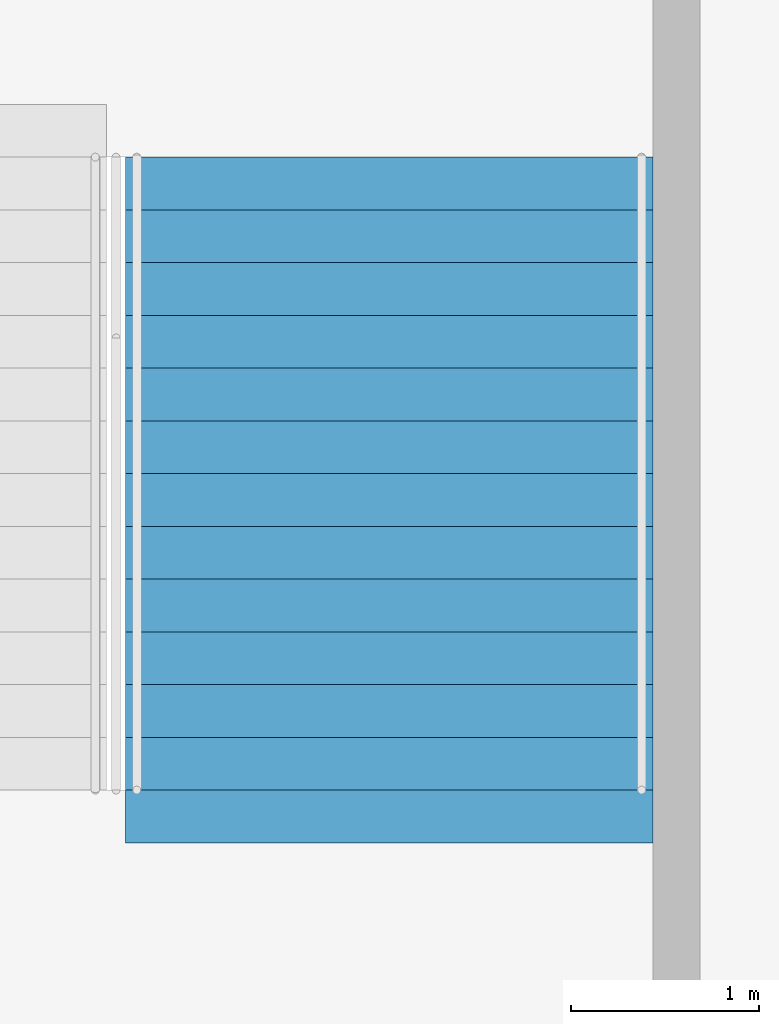
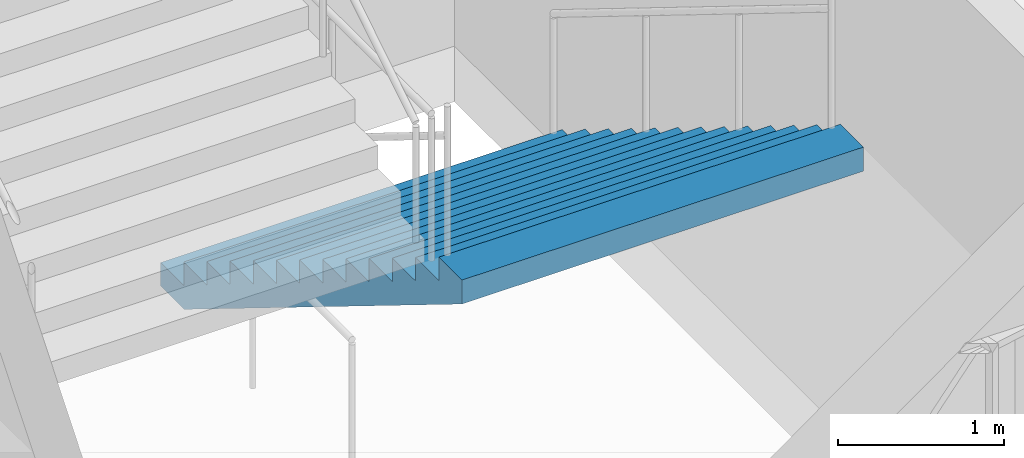
# One storey, part 154 of 249: 1 stair flight, 1 element without a shape of its own.
"""IFC4 building model written with IfcOpenShell, lengths in metres."""

from ifc_helpers import new_model, si_unit, direction, frame, origin, place, context, subcontext, project, spatial, faceted_brep, material, type_object, element, aggregate, save


model = new_model("IFC4")

# Units and contexts
model_context = context("Model", 3, precision=1e-05, world=origin(), true_north=direction((0.0, 1.0)))
body_context = subcontext(model_context, "Body", "Model", "MODEL_VIEW")
ifc_project = project(units=[si_unit("LENGTHUNIT", "METRE"), si_unit("AREAUNIT", "SQUARE_METRE"), si_unit("VOLUMEUNIT", "CUBIC_METRE"), si_unit("PLANEANGLEUNIT", "RADIAN"), si_unit("MASSUNIT", "GRAM", prefix="KILO")], contexts=[model_context])

# Site, building, storey
site_placement = place(None, origin())
site = spatial("IfcSite", under=ifc_project, at=site_placement, CompositionType="ELEMENT")
building_placement = place(site_placement, origin())
building = spatial("IfcBuilding", under=site, at=building_placement, Name="Ogive Plaza Stadium", CompositionType="ELEMENT")
storey_placement = place(building_placement, frame((0.0, 0.0, 13.5)))
storey = spatial("IfcBuildingStorey", under=building, at=storey_placement, Name="L03", CompositionType="ELEMENT", Elevation=13.5)

# Stair, stair flight
ifc_material_1 = material(Name="Concrete C40/50", Category="concrete")
stair_type = type_object("IfcStairType", Name="Exit stair", PredefinedType="STRAIGHT_RUN_STAIR", material=ifc_material_1)
stair_placement = place(storey_placement, origin())
stair = element("IfcStair", 1, at=stair_placement, inside=storey, type_object=stair_type, Name="Exit stair ST12B L03 to L04", PredefinedType="STRAIGHT_RUN_STAIR")
ifc_material_2 = material(Name="Concrete C40/50", Category="concrete")
stair_flight_type = type_object("IfcStairFlightType", Name="Exit stair flight", PredefinedType="STRAIGHT", material=ifc_material_2)
stair_flight_placement = place(storey_placement, frame((38.425048828125, -94.85009765625, 0.0), z_axis=(0.0, 0.0, 1.0), x_axis=(0.0, -1.0, 0.0)))
stair_flight = element("IfcStairFlight", 2, at=stair_flight_placement, type_object=stair_flight_type, Name="ST12B flight 1", NumberOfRisers=13, NumberOfTreads=12, PredefinedType="STRAIGHT", RiserHeight=0.173076923, TreadLength=0.28, context=body_context, shape_type="Brep", body=[
    faceted_brep([(0.28515625, -1.39990234375, 0.0), (3.639892578125, -1.39990234375, 2.07373046875), (3.639892578125, -1.39990234375, 2.25), (3.360107421875, -1.39990234375, 2.25), (3.360107421875, -1.39990234375, 2.076904296875), (3.080078125, -1.39990234375, 2.076904296875), (3.080078125, -1.39990234375, 1.90380859375), (2.800048828125, -1.39990234375, 1.90380859375), (2.800048828125, -1.39990234375, 1.730712890625), (2.52001953125, -1.39990234375, 1.730712890625), (2.52001953125, -1.39990234375, 1.5576171875), (2.239990234375, -1.39990234375, 1.5576171875), (2.239990234375, -1.39990234375, 1.384521484375), (1.9599609375, -1.39990234375, 1.384521484375), (1.9599609375, -1.39990234375, 1.21142578125), (1.679931640625, -1.39990234375, 1.21142578125), (1.679931640625, -1.39990234375, 1.03857421875), (1.39990234375, -1.39990234375, 1.03857421875), (1.39990234375, -1.39990234375, 0.865478515625), (1.1201171875, -1.39990234375, 0.865478515625), (1.1201171875, -1.39990234375, 0.6923828125), (0.840087890625, -1.39990234375, 0.6923828125), (0.840087890625, -1.39990234375, 0.519287109375), (0.56005859375, -1.39990234375, 0.519287109375), (0.56005859375, -1.39990234375, 0.34619140625), (0.280029296875, -1.39990234375, 0.34619140625), (0.280029296875, -1.39990234375, 0.173095703125), (0.0, -1.39990234375, 0.173095703125), (0.0, -1.39990234375, 0.0), (0.0, 1.39990234375, 0.0), (0.0, 1.39990234375, 0.173095703125), (0.280029296875, 1.39990234375, 0.173095703125), (0.280029296875, 1.39990234375, 0.34619140625), (0.56005859375, 1.39990234375, 0.34619140625), (0.56005859375, 1.39990234375, 0.519287109375), (0.840087890625, 1.39990234375, 0.519287109375), (0.840087890625, 1.39990234375, 0.6923828125), (1.1201171875, 1.39990234375, 0.6923828125), (1.1201171875, 1.39990234375, 0.865478515625), (1.39990234375, 1.39990234375, 0.865478515625), (1.39990234375, 1.39990234375, 1.03857421875), (1.679931640625, 1.39990234375, 1.03857421875), (1.679931640625, 1.39990234375, 1.21142578125), (1.9599609375, 1.39990234375, 1.21142578125), (1.9599609375, 1.39990234375, 1.384521484375), (2.239990234375, 1.39990234375, 1.384521484375), (2.239990234375, 1.39990234375, 1.5576171875), (2.52001953125, 1.39990234375, 1.5576171875), (2.52001953125, 1.39990234375, 1.730712890625), (2.800048828125, 1.39990234375, 1.730712890625), (2.800048828125, 1.39990234375, 1.90380859375), (3.080078125, 1.39990234375, 1.90380859375), (3.080078125, 1.39990234375, 2.076904296875), (3.360107421875, 1.39990234375, 2.076904296875), (3.360107421875, 1.39990234375, 2.25), (3.639892578125, 1.39990234375, 2.25), (3.639892578125, 1.39990234375, 2.07373046875), (0.28515625, 1.39990234375, 0.0), (0.28515625, -1.0888671875, 0.0), (3.639892578125, -1.0888671875, 2.07373046875), (0.28515625, -0.77783203125, 0.0), (3.639892578125, -0.77783203125, 2.07373046875), (0.28515625, -0.466796875, 0.0), (3.639892578125, -0.466796875, 2.07373046875), (0.28515625, -0.155517578125, 0.0), (3.639892578125, -0.155517578125, 2.07373046875), (0.28515625, 0.155517578125, 0.0), (3.639892578125, 0.155517578125, 2.07373046875), (0.28515625, 0.466796875, 0.0), (3.639892578125, 0.466796875, 2.07373046875), (0.28515625, 0.77783203125, 0.0), (3.639892578125, 0.77783203125, 2.07373046875), (0.28515625, 1.0888671875, 0.0), (3.639892578125, 1.0888671875, 2.07373046875), (3.639892578125, -1.0888671875, 2.25), (3.639892578125, -0.77783203125, 2.25), (3.639892578125, -0.466796875, 2.25), (3.639892578125, -0.155517578125, 2.25), (3.639892578125, 0.155517578125, 2.25), (3.639892578125, 0.466796875, 2.25), (3.639892578125, 0.77783203125, 2.25), (3.639892578125, 1.0888671875, 2.25), (3.360107421875, -1.0888671875, 2.25), (3.360107421875, -0.77783203125, 2.25), (3.360107421875, -0.466796875, 2.25), (3.360107421875, -0.155517578125, 2.25), (3.360107421875, 0.155517578125, 2.25), (3.360107421875, 0.466796875, 2.25), (3.360107421875, 0.77783203125, 2.25), (3.360107421875, 1.0888671875, 2.25), (3.360107421875, -1.0888671875, 2.076904296875), (3.360107421875, -0.77783203125, 2.076904296875), (3.360107421875, -0.466796875, 2.076904296875), (3.360107421875, -0.155517578125, 2.076904296875), (3.360107421875, 0.155517578125, 2.076904296875), (3.360107421875, 0.466796875, 2.076904296875), (3.360107421875, 0.77783203125, 2.076904296875), (3.360107421875, 1.0888671875, 2.076904296875), (3.080078125, -1.0888671875, 2.076904296875), (3.080078125, -0.77783203125, 2.076904296875), (3.080078125, -0.466796875, 2.076904296875), (3.080078125, -0.155517578125, 2.076904296875), (3.080078125, 0.155517578125, 2.076904296875), (3.080078125, 0.466796875, 2.076904296875), (3.080078125, 0.77783203125, 2.076904296875), (3.080078125, 1.0888671875, 2.076904296875), (3.080078125, -1.0888671875, 1.90380859375), (3.080078125, -0.77783203125, 1.90380859375), (3.080078125, -0.466796875, 1.90380859375), (3.080078125, -0.155517578125, 1.90380859375), (3.080078125, 0.155517578125, 1.90380859375), (3.080078125, 0.466796875, 1.90380859375), (3.080078125, 0.77783203125, 1.90380859375), (3.080078125, 1.0888671875, 1.90380859375), (2.800048828125, -1.0888671875, 1.90380859375), (2.800048828125, -0.77783203125, 1.90380859375), (2.800048828125, -0.466796875, 1.90380859375), (2.800048828125, -0.155517578125, 1.90380859375), (2.800048828125, 0.155517578125, 1.90380859375), (2.800048828125, 0.466796875, 1.90380859375), (2.800048828125, 0.77783203125, 1.90380859375), (2.800048828125, 1.0888671875, 1.90380859375), (2.800048828125, -1.0888671875, 1.730712890625), (2.800048828125, -0.77783203125, 1.730712890625), (2.800048828125, -0.466796875, 1.730712890625), (2.800048828125, -0.155517578125, 1.730712890625), (2.800048828125, 0.155517578125, 1.730712890625), (2.800048828125, 0.466796875, 1.730712890625), (2.800048828125, 0.77783203125, 1.730712890625), (2.800048828125, 1.0888671875, 1.730712890625), (2.52001953125, -1.0888671875, 1.730712890625), (2.52001953125, -0.77783203125, 1.730712890625), (2.52001953125, -0.466796875, 1.730712890625), (2.52001953125, -0.155517578125, 1.730712890625), (2.52001953125, 0.155517578125, 1.730712890625), (2.52001953125, 0.466796875, 1.730712890625), (2.52001953125, 0.77783203125, 1.730712890625), (2.52001953125, 1.0888671875, 1.730712890625), (2.52001953125, -1.0888671875, 1.5576171875), (2.52001953125, -0.77783203125, 1.5576171875), (2.52001953125, -0.466796875, 1.5576171875), (2.52001953125, -0.155517578125, 1.5576171875), (2.52001953125, 0.155517578125, 1.5576171875), (2.52001953125, 0.466796875, 1.5576171875), (2.52001953125, 0.77783203125, 1.5576171875), (2.52001953125, 1.0888671875, 1.5576171875), (2.239990234375, -1.0888671875, 1.5576171875), (2.239990234375, -0.77783203125, 1.5576171875), (2.239990234375, -0.466796875, 1.5576171875), (2.239990234375, -0.155517578125, 1.5576171875), (2.239990234375, 0.155517578125, 1.5576171875), (2.239990234375, 0.466796875, 1.5576171875), (2.239990234375, 0.77783203125, 1.5576171875), (2.239990234375, 1.0888671875, 1.5576171875), (2.239990234375, -1.0888671875, 1.384521484375), (2.239990234375, -0.77783203125, 1.384521484375), (2.239990234375, -0.466796875, 1.384521484375), (2.239990234375, -0.155517578125, 1.384521484375), (2.239990234375, 0.155517578125, 1.384521484375), (2.239990234375, 0.466796875, 1.384521484375), (2.239990234375, 0.77783203125, 1.384521484375), (2.239990234375, 1.0888671875, 1.384521484375), (1.9599609375, -1.0888671875, 1.384521484375), (1.9599609375, -0.77783203125, 1.384521484375), (1.9599609375, -0.466796875, 1.384521484375), (1.9599609375, -0.155517578125, 1.384521484375), (1.9599609375, 0.155517578125, 1.384521484375), (1.9599609375, 0.466796875, 1.384521484375), (1.9599609375, 0.77783203125, 1.384521484375), (1.9599609375, 1.0888671875, 1.384521484375), (1.9599609375, -1.0888671875, 1.21142578125), (1.9599609375, -0.77783203125, 1.21142578125), (1.9599609375, -0.466796875, 1.21142578125), (1.9599609375, -0.155517578125, 1.21142578125), (1.9599609375, 0.155517578125, 1.21142578125), (1.9599609375, 0.466796875, 1.21142578125), (1.9599609375, 0.77783203125, 1.21142578125), (1.9599609375, 1.0888671875, 1.21142578125), (1.679931640625, -1.0888671875, 1.21142578125), (1.679931640625, -0.77783203125, 1.21142578125), (1.679931640625, -0.466796875, 1.21142578125), (1.679931640625, -0.155517578125, 1.21142578125), (1.679931640625, 0.155517578125, 1.21142578125), (1.679931640625, 0.466796875, 1.21142578125), (1.679931640625, 0.77783203125, 1.21142578125), (1.679931640625, 1.0888671875, 1.21142578125), (1.679931640625, -1.0888671875, 1.03857421875), (1.679931640625, -0.77783203125, 1.03857421875), (1.679931640625, -0.466796875, 1.03857421875), (1.679931640625, -0.155517578125, 1.03857421875), (1.679931640625, 0.155517578125, 1.03857421875), (1.679931640625, 0.466796875, 1.03857421875), (1.679931640625, 0.77783203125, 1.03857421875), (1.679931640625, 1.0888671875, 1.03857421875), (1.39990234375, -1.0888671875, 1.03857421875), (1.39990234375, -0.77783203125, 1.03857421875), (1.39990234375, -0.466796875, 1.03857421875), (1.39990234375, -0.155517578125, 1.03857421875), (1.39990234375, 0.155517578125, 1.03857421875), (1.39990234375, 0.466796875, 1.03857421875), (1.39990234375, 0.77783203125, 1.03857421875), (1.39990234375, 1.0888671875, 1.03857421875), (1.39990234375, -1.0888671875, 0.865478515625), (1.39990234375, -0.77783203125, 0.865478515625), (1.39990234375, -0.466796875, 0.865478515625), (1.39990234375, -0.155517578125, 0.865478515625), (1.39990234375, 0.155517578125, 0.865478515625), (1.39990234375, 0.466796875, 0.865478515625), (1.39990234375, 0.77783203125, 0.865478515625), (1.39990234375, 1.0888671875, 0.865478515625), (1.1201171875, -1.0888671875, 0.865478515625), (1.1201171875, -0.77783203125, 0.865478515625), (1.1201171875, -0.466796875, 0.865478515625), (1.1201171875, -0.155517578125, 0.865478515625), (1.1201171875, 0.155517578125, 0.865478515625), (1.1201171875, 0.466796875, 0.865478515625), (1.1201171875, 0.77783203125, 0.865478515625), (1.1201171875, 1.0888671875, 0.865478515625), (1.1201171875, -1.0888671875, 0.6923828125), (1.1201171875, -0.77783203125, 0.6923828125), (1.1201171875, -0.466796875, 0.6923828125), (1.1201171875, -0.155517578125, 0.6923828125), (1.1201171875, 0.155517578125, 0.6923828125), (1.1201171875, 0.466796875, 0.6923828125), (1.1201171875, 0.77783203125, 0.6923828125), (1.1201171875, 1.0888671875, 0.6923828125), (0.840087890625, -1.0888671875, 0.6923828125), (0.840087890625, -0.77783203125, 0.6923828125), (0.840087890625, -0.466796875, 0.6923828125), (0.840087890625, -0.155517578125, 0.6923828125), (0.840087890625, 0.155517578125, 0.6923828125), (0.840087890625, 0.466796875, 0.6923828125), (0.840087890625, 0.77783203125, 0.6923828125), (0.840087890625, 1.0888671875, 0.6923828125), (0.840087890625, -1.0888671875, 0.519287109375), (0.840087890625, -0.77783203125, 0.519287109375), (0.840087890625, -0.466796875, 0.519287109375), (0.840087890625, -0.155517578125, 0.519287109375), (0.840087890625, 0.155517578125, 0.519287109375), (0.840087890625, 0.466796875, 0.519287109375), (0.840087890625, 0.77783203125, 0.519287109375), (0.840087890625, 1.0888671875, 0.519287109375), (0.56005859375, -1.0888671875, 0.519287109375), (0.56005859375, -0.77783203125, 0.519287109375), (0.56005859375, -0.466796875, 0.519287109375), (0.56005859375, -0.155517578125, 0.519287109375), (0.56005859375, 0.155517578125, 0.519287109375), (0.56005859375, 0.466796875, 0.519287109375), (0.56005859375, 0.77783203125, 0.519287109375), (0.56005859375, 1.0888671875, 0.519287109375), (0.56005859375, -1.0888671875, 0.34619140625), (0.56005859375, -0.77783203125, 0.34619140625), (0.56005859375, -0.466796875, 0.34619140625), (0.56005859375, -0.155517578125, 0.34619140625), (0.56005859375, 0.155517578125, 0.34619140625), (0.56005859375, 0.466796875, 0.34619140625), (0.56005859375, 0.77783203125, 0.34619140625), (0.56005859375, 1.0888671875, 0.34619140625), (0.280029296875, -1.0888671875, 0.34619140625), (0.280029296875, -0.77783203125, 0.34619140625), (0.280029296875, -0.466796875, 0.34619140625), (0.280029296875, -0.155517578125, 0.34619140625), (0.280029296875, 0.155517578125, 0.34619140625), (0.280029296875, 0.466796875, 0.34619140625), (0.280029296875, 0.77783203125, 0.34619140625), (0.280029296875, 1.0888671875, 0.34619140625), (0.280029296875, -1.0888671875, 0.173095703125), (0.280029296875, -0.77783203125, 0.173095703125), (0.280029296875, -0.466796875, 0.173095703125), (0.280029296875, -0.155517578125, 0.173095703125), (0.280029296875, 0.155517578125, 0.173095703125), (0.280029296875, 0.466796875, 0.173095703125), (0.280029296875, 0.77783203125, 0.173095703125), (0.280029296875, 1.0888671875, 0.173095703125), (0.0, -1.0888671875, 0.173095703125), (0.0, -0.77783203125, 0.173095703125), (0.0, -0.466796875, 0.173095703125), (0.0, -0.155517578125, 0.173095703125), (0.0, 0.155517578125, 0.173095703125), (0.0, 0.466796875, 0.173095703125), (0.0, 0.77783203125, 0.173095703125), (0.0, 1.0888671875, 0.173095703125), (0.0, -1.0888671875, 0.0), (0.0, -0.77783203125, 0.0), (0.0, -0.466796875, 0.0), (0.0, -0.155517578125, 0.0), (0.0, 0.155517578125, 0.0), (0.0, 0.466796875, 0.0), (0.0, 0.77783203125, 0.0), (0.0, 1.0888671875, 0.0)], [[[0, 1, 2, 3, 4, 5, 6, 7, 8, 9, 10, 11, 12, 13, 14, 15, 16, 17, 18, 19, 20, 21, 22, 23, 24, 25, 26, 27, 28]], [[29, 30, 31, 32, 33, 34, 35, 36, 37, 38, 39, 40, 41, 42, 43, 44, 45, 46, 47, 48, 49, 50, 51, 52, 53, 54, 55, 56, 57]], [[0, 58, 59, 1]], [[58, 60, 61, 59]], [[60, 62, 63, 61]], [[62, 64, 65, 63]], [[64, 66, 67, 65]], [[66, 68, 69, 67]], [[68, 70, 71, 69]], [[70, 72, 73, 71]], [[72, 57, 56, 73]], [[1, 59, 74, 2]], [[59, 61, 75, 74]], [[61, 63, 76, 75]], [[63, 65, 77, 76]], [[65, 67, 78, 77]], [[67, 69, 79, 78]], [[69, 71, 80, 79]], [[71, 73, 81, 80]], [[73, 56, 55, 81]], [[2, 74, 82, 3]], [[74, 75, 83, 82]], [[75, 76, 84, 83]], [[76, 77, 85, 84]], [[77, 78, 86, 85]], [[78, 79, 87, 86]], [[79, 80, 88, 87]], [[80, 81, 89, 88]], [[81, 55, 54, 89]], [[3, 82, 90, 4]], [[82, 83, 91, 90]], [[83, 84, 92, 91]], [[84, 85, 93, 92]], [[85, 86, 94, 93]], [[86, 87, 95, 94]], [[87, 88, 96, 95]], [[88, 89, 97, 96]], [[89, 54, 53, 97]], [[4, 90, 98, 5]], [[90, 91, 99, 98]], [[91, 92, 100, 99]], [[92, 93, 101, 100]], [[93, 94, 102, 101]], [[94, 95, 103, 102]], [[95, 96, 104, 103]], [[96, 97, 105, 104]], [[97, 53, 52, 105]], [[5, 98, 106, 6]], [[98, 99, 107, 106]], [[99, 100, 108, 107]], [[100, 101, 109, 108]], [[101, 102, 110, 109]], [[102, 103, 111, 110]], [[103, 104, 112, 111]], [[104, 105, 113, 112]], [[105, 52, 51, 113]], [[6, 106, 114, 7]], [[106, 107, 115, 114]], [[107, 108, 116, 115]], [[108, 109, 117, 116]], [[109, 110, 118, 117]], [[110, 111, 119, 118]], [[111, 112, 120, 119]], [[112, 113, 121, 120]], [[113, 51, 50, 121]], [[7, 114, 122, 8]], [[114, 115, 123, 122]], [[115, 116, 124, 123]], [[116, 117, 125, 124]], [[117, 118, 126, 125]], [[118, 119, 127, 126]], [[119, 120, 128, 127]], [[120, 121, 129, 128]], [[121, 50, 49, 129]], [[8, 122, 130, 9]], [[122, 123, 131, 130]], [[123, 124, 132, 131]], [[124, 125, 133, 132]], [[125, 126, 134, 133]], [[126, 127, 135, 134]], [[127, 128, 136, 135]], [[128, 129, 137, 136]], [[129, 49, 48, 137]], [[9, 130, 138, 10]], [[130, 131, 139, 138]], [[131, 132, 140, 139]], [[132, 133, 141, 140]], [[133, 134, 142, 141]], [[134, 135, 143, 142]], [[135, 136, 144, 143]], [[136, 137, 145, 144]], [[137, 48, 47, 145]], [[10, 138, 146, 11]], [[138, 139, 147, 146]], [[139, 140, 148, 147]], [[140, 141, 149, 148]], [[141, 142, 150, 149]], [[142, 143, 151, 150]], [[143, 144, 152, 151]], [[144, 145, 153, 152]], [[145, 47, 46, 153]], [[11, 146, 154, 12]], [[146, 147, 155, 154]], [[147, 148, 156, 155]], [[148, 149, 157, 156]], [[149, 150, 158, 157]], [[150, 151, 159, 158]], [[151, 152, 160, 159]], [[152, 153, 161, 160]], [[153, 46, 45, 161]], [[12, 154, 162, 13]], [[154, 155, 163, 162]], [[155, 156, 164, 163]], [[156, 157, 165, 164]], [[157, 158, 166, 165]], [[158, 159, 167, 166]], [[159, 160, 168, 167]], [[160, 161, 169, 168]], [[161, 45, 44, 169]], [[13, 162, 170, 14]], [[162, 163, 171, 170]], [[163, 164, 172, 171]], [[164, 165, 173, 172]], [[165, 166, 174, 173]], [[166, 167, 175, 174]], [[167, 168, 176, 175]], [[168, 169, 177, 176]], [[169, 44, 43, 177]], [[14, 170, 178, 15]], [[170, 171, 179, 178]], [[171, 172, 180, 179]], [[172, 173, 181, 180]], [[173, 174, 182, 181]], [[174, 175, 183, 182]], [[175, 176, 184, 183]], [[176, 177, 185, 184]], [[177, 43, 42, 185]], [[15, 178, 186, 16]], [[178, 179, 187, 186]], [[179, 180, 188, 187]], [[180, 181, 189, 188]], [[181, 182, 190, 189]], [[182, 183, 191, 190]], [[183, 184, 192, 191]], [[184, 185, 193, 192]], [[185, 42, 41, 193]], [[16, 186, 194, 17]], [[186, 187, 195, 194]], [[187, 188, 196, 195]], [[188, 189, 197, 196]], [[189, 190, 198, 197]], [[190, 191, 199, 198]], [[191, 192, 200, 199]], [[192, 193, 201, 200]], [[193, 41, 40, 201]], [[17, 194, 202, 18]], [[194, 195, 203, 202]], [[195, 196, 204, 203]], [[196, 197, 205, 204]], [[197, 198, 206, 205]], [[198, 199, 207, 206]], [[199, 200, 208, 207]], [[200, 201, 209, 208]], [[201, 40, 39, 209]], [[18, 202, 210, 19]], [[202, 203, 211, 210]], [[203, 204, 212, 211]], [[204, 205, 213, 212]], [[205, 206, 214, 213]], [[206, 207, 215, 214]], [[207, 208, 216, 215]], [[208, 209, 217, 216]], [[209, 39, 38, 217]], [[19, 210, 218, 20]], [[210, 211, 219, 218]], [[211, 212, 220, 219]], [[212, 213, 221, 220]], [[213, 214, 222, 221]], [[214, 215, 223, 222]], [[215, 216, 224, 223]], [[216, 217, 225, 224]], [[217, 38, 37, 225]], [[20, 218, 226, 21]], [[218, 219, 227, 226]], [[219, 220, 228, 227]], [[220, 221, 229, 228]], [[221, 222, 230, 229]], [[222, 223, 231, 230]], [[223, 224, 232, 231]], [[224, 225, 233, 232]], [[225, 37, 36, 233]], [[21, 226, 234, 22]], [[226, 227, 235, 234]], [[227, 228, 236, 235]], [[228, 229, 237, 236]], [[229, 230, 238, 237]], [[230, 231, 239, 238]], [[231, 232, 240, 239]], [[232, 233, 241, 240]], [[233, 36, 35, 241]], [[22, 234, 242, 23]], [[234, 235, 243, 242]], [[235, 236, 244, 243]], [[236, 237, 245, 244]], [[237, 238, 246, 245]], [[238, 239, 247, 246]], [[239, 240, 248, 247]], [[240, 241, 249, 248]], [[241, 35, 34, 249]], [[23, 242, 250, 24]], [[242, 243, 251, 250]], [[243, 244, 252, 251]], [[244, 245, 253, 252]], [[245, 246, 254, 253]], [[246, 247, 255, 254]], [[247, 248, 256, 255]], [[248, 249, 257, 256]], [[249, 34, 33, 257]], [[24, 250, 258, 25]], [[250, 251, 259, 258]], [[251, 252, 260, 259]], [[252, 253, 261, 260]], [[253, 254, 262, 261]], [[254, 255, 263, 262]], [[255, 256, 264, 263]], [[256, 257, 265, 264]], [[257, 33, 32, 265]], [[25, 258, 266, 26]], [[258, 259, 267, 266]], [[259, 260, 268, 267]], [[260, 261, 269, 268]], [[261, 262, 270, 269]], [[262, 263, 271, 270]], [[263, 264, 272, 271]], [[264, 265, 273, 272]], [[265, 32, 31, 273]], [[26, 266, 274, 27]], [[266, 267, 275, 274]], [[267, 268, 276, 275]], [[268, 269, 277, 276]], [[269, 270, 278, 277]], [[270, 271, 279, 278]], [[271, 272, 280, 279]], [[272, 273, 281, 280]], [[273, 31, 30, 281]], [[27, 274, 282, 28]], [[274, 275, 283, 282]], [[275, 276, 284, 283]], [[276, 277, 285, 284]], [[277, 278, 286, 285]], [[278, 279, 287, 286]], [[279, 280, 288, 287]], [[280, 281, 289, 288]], [[281, 30, 29, 289]], [[28, 282, 58, 0]], [[282, 283, 60, 58]], [[283, 284, 62, 60]], [[284, 285, 64, 62]], [[285, 286, 66, 64]], [[286, 287, 68, 66]], [[287, 288, 70, 68]], [[288, 289, 72, 70]], [[289, 29, 57, 72]]]),
])
aggregate(stair, [stair_flight])

save(model, "model.ifc")
